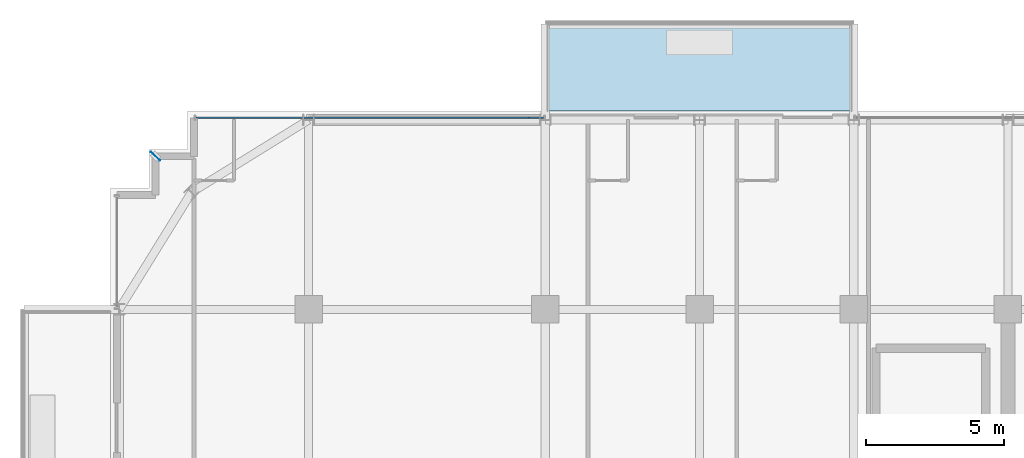
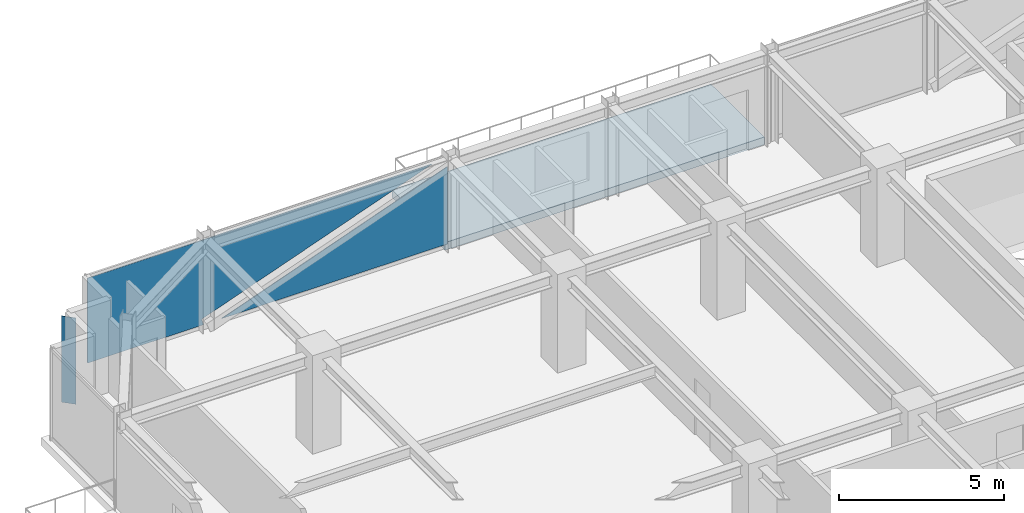
# One storey, part 32 of 41: 2 plates, 1 slab, 1 element without a shape of its own.
"""IFC4 building model written with IfcOpenShell, lengths in metres."""

from ifc_helpers import new_model, si_unit, direction, frame, origin, origin_2d, place, context, subcontext, project, spatial, polyline, rectangle, outline, extrude, source, transform, mapped, material, layer, layer_set, type_object, element, aggregate, save


model = new_model("IFC4")

# Units and contexts
model_context = context("Model", 3, precision=1e-05, world=origin(), true_north=direction((0.0, 1.0)))
body_context = subcontext(model_context, "Body", "Model", "MODEL_VIEW")
ifc_project = project(units=[si_unit("LENGTHUNIT", "METRE"), si_unit("AREAUNIT", "SQUARE_METRE"), si_unit("VOLUMEUNIT", "CUBIC_METRE"), si_unit("PLANEANGLEUNIT", "RADIAN"), si_unit("MASSUNIT", "GRAM", prefix="KILO")], contexts=[model_context])

# Site, building, storey
site_placement = place(None, origin())
site = spatial("IfcSite", under=ifc_project, at=site_placement, CompositionType="ELEMENT")
building_placement = place(site_placement, origin())
building = spatial("IfcBuilding", under=site, at=building_placement, Name="Nahalor Promenade Grand Hotel", CompositionType="ELEMENT")
storey_placement = place(building_placement, frame((0.0, 0.0, 227.10009765625)))
storey = spatial("IfcBuildingStorey", under=building, at=storey_placement, Name="L58", CompositionType="ELEMENT", Elevation=227.10009765625)

# Curtain wall, plate
ifc_material_1 = material(Name="Anodised Bronze Aluminium EN AW-6063 T6", Category="aluminium")
curtain_wall_type = type_object("IfcCurtainWallType", Name="CW2 Typical Hotel Flush Bronze Unitised Curtain Wall", PredefinedType="USERDEFINED", material=ifc_material_1)
curtain_wall_placement = place(storey_placement, origin())
curtain_wall = element("IfcCurtainWall", 1, at=curtain_wall_placement, inside=storey, type_object=curtain_wall_type, Name="L58 Curtain Wall CW-L58-N-1", ObjectType="UNITISED_CURTAIN_WALL", PredefinedType="USERDEFINED")
ifc_material_2 = material(Name="Low-E Laminated Solar Glass", Category="glass")
ifc_layer_1 = layer(ifc_material_2, 0.028076171875)
ifc_layer_set_1 = layer_set([ifc_layer_1], Name="Low-E Laminated Solar Glass")
plate_type_1 = type_object("IfcPlateType", Name="CWP2 Bronze Low-E Vision IGU 28mm", PredefinedType="CURTAIN_PANEL", material=ifc_layer_set_1)
plate_1_placement = place(storey_placement, frame((-14.780029296875, 23.9599609375, 0.1298828125), z_axis=(0.0, 0.0, 1.0), x_axis=(1.0, 0.0, 0.0)))
plate_1 = element("IfcPlate", 2, at=plate_1_placement, type_object=plate_type_1, Name="CW-L58-N-1 Glazing Panel 0-0", PredefinedType="CURTAIN_PANEL", context=body_context, shape_type="SweptSolid", body=[
    extrude(outline(polyline([(-6.31494140625, 3.14990234375), (-6.31494140625, 0.0), (-2.2392578125, 0.0), (-2.320068359375, 0.22314453125), (5.773681640625, 3.14990234375), (-6.31494140625, 3.14990234375)])), frame((0.0, 0.01416015625, 0.0), z_axis=(0.0, -1.0, 0.0), x_axis=(1.0, 0.0, 0.0)), (0.0, 0.0, 1.0), 0.028076171875),
    extrude(outline(polyline([(-1.61376953125, 0.0), (6.31494140625, 0.0), (6.31494140625, 2.8671875), (-1.61376953125, 0.0)])), frame((0.0, 0.01416015625, 0.0), z_axis=(0.0, -1.0, 0.0), x_axis=(1.0, 0.0, 0.0)), (0.0, 0.0, 1.0), 0.028076171875),
])
aggregate(curtain_wall, [plate_1])

# Slab
ifc_material_3 = material(Name="Concrete B-50 (C40/50)", Category="concrete")
ifc_layer_2 = layer(ifc_material_3, 0.280029296875)
ifc_layer_set_2 = layer_set([ifc_layer_2], Name="Concrete B-50 (C40/50)")
slab_type = type_object("IfcSlabType", Name="Slab-Balcony-280", PredefinedType="FLOOR", material=ifc_layer_set_2)
slab_placement = place(storey_placement, frame((0.0, 0.0, -0.280029296875)))
element("IfcSlab", 3, at=slab_placement, inside=storey, type_object=slab_type, Name="L58 Cantilevered Planted Balcony 1", PredefinedType="FLOOR", context=body_context, shape_type="SweptSolid", body=[
    extrude(outline(polyline([(-8.39990234375, 24.199951171875), (2.800048828125, 24.199951171875), (2.800048828125, 27.43994140625), (-8.39990234375, 27.43994140625), (-8.39990234375, 24.199951171875)])), origin(), (0.0, 0.0, 1.0), 0.280029296875),
])

# Plate
ifc_layer_3 = layer(ifc_material_1, 0.02001953125)
ifc_layer_set_3 = layer_set([ifc_layer_3], Name="Anodised Bronze Aluminium EN AW-6063 T6")
plate_type_2 = type_object("IfcPlateType", Name="Plate-CornerFin-20", PredefinedType="SHEET", material=ifc_layer_set_3)
shared_shape = source(origin(), body_context, "Body", "SweptSolid", [
    extrude(rectangle(XDim=0.449951171875, YDim=0.02001953125, at=origin_2d()), origin(), (0.0, 0.0, 1.0), 3.199951171875),
])
plate_2_placement = place(storey_placement, frame((-22.56005859375, 22.56005859375, 0.0), z_axis=(0.0, 0.0, 1.0), x_axis=(-0.707106781187, 0.707106781187, 0.0)))
element("IfcPlate", 4, at=plate_2_placement, inside=storey, type_object=plate_type_2, Name="FIN-L58-NW", PredefinedType="SHEET", context=body_context, shape_type="MappedRepresentation", body=[
    mapped(shared_shape, transform((0.0, 0.0, 0.0), scale=1.0)),
])

save(model, "model.ifc")
